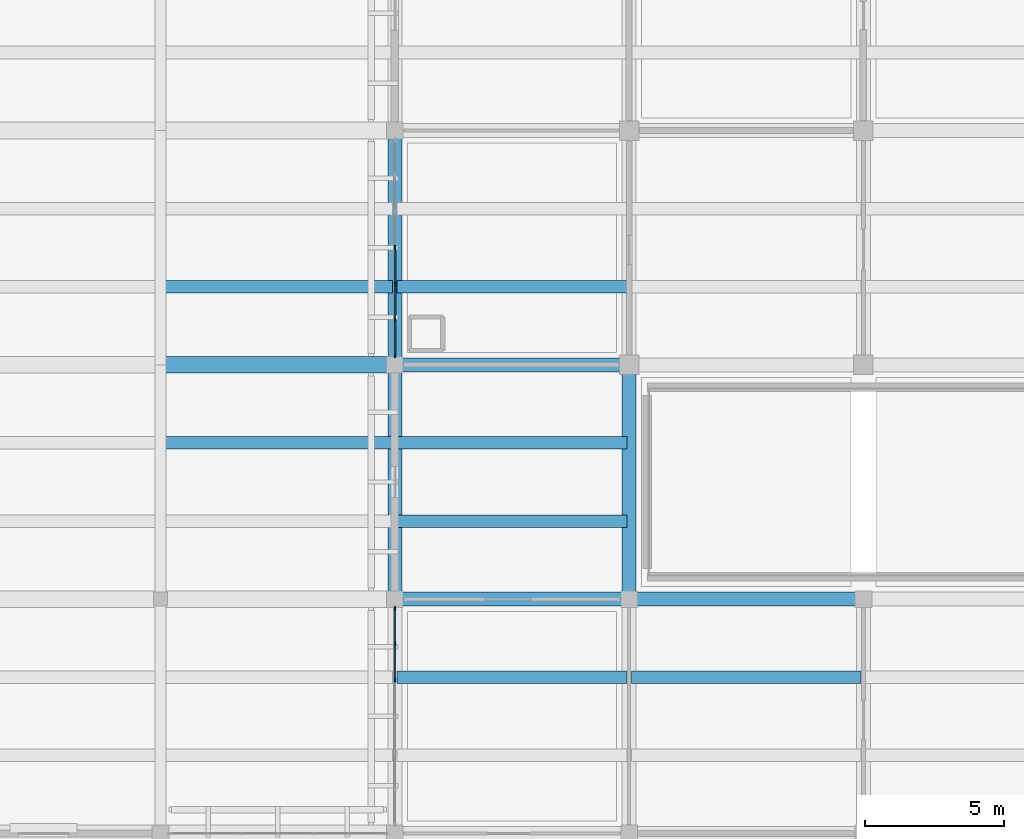
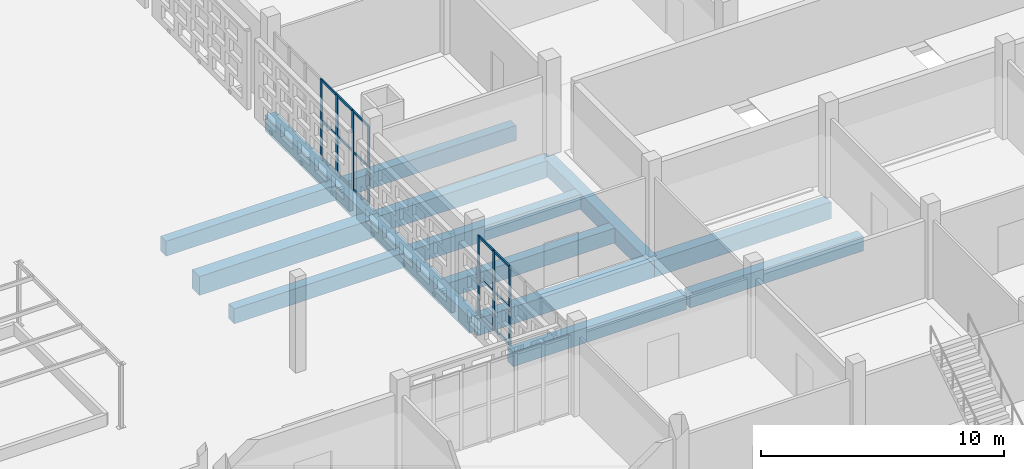
# One storey, part 39 of 129: 22 members, 14 beams, 2 elements without a shape of their own.
"""IFC4 building model written with IfcOpenShell, lengths in metres."""

import ifcopenshell
import ifcopenshell.guid

model = None  # the IFC model being written
_history = None  # IfcOwnerHistory: only IFC2X3 demands one
_inside = {}  # id of a spatial element -> (the spatial element, [elements in it])
_under = {}  # id of a project, library or spatial element -> (it, [spatial elements below it])
_declared = {}  # id of a project -> (the project, [libraries it declares])
_typed = {}  # id of a type object -> (the type object, [elements of that type])
_made_of = {}  # id of a material, layer set ... -> (it, [elements and type objects made of it])


def new_model(schema):
    """Start an empty IFC model of exactly this schema.

    Asked for "IFC4X3", IfcOpenShell would pick the latest addendum, in which some entities
    have other attributes; the version numbers below select the first issue.
    IFC2X3 requires an IfcOwnerHistory on every rooted entity: one is made here for all.
    """
    global model, _history
    if schema == "IFC4X3":
        model = ifcopenshell.file(schema_version=(4, 3, 0, 0))
    else:
        model = ifcopenshell.file(schema=schema)
    _inside.clear()
    _under.clear()
    _declared.clear()
    _typed.clear()
    _made_of.clear()
    _history = None
    if model.schema == "IFC2X3":
        org = make("IfcOrganization", Name="unknown")
        user = make(
            "IfcPersonAndOrganization",
            ThePerson=make("IfcPerson", FamilyName="unknown"),
            TheOrganization=org,
        )
        app = make(
            "IfcApplication",
            ApplicationDeveloper=org,
            Version="unknown",
            ApplicationFullName="unknown",
            ApplicationIdentifier="unknown",
        )
        _history = make(
            "IfcOwnerHistory",
            OwningUser=user,
            OwningApplication=app,
            ChangeAction="ADDED",
            CreationDate=0,
        )
    return model


def make(cls, **values):
    """One entity of the class cls with the attributes given. An attribute that is None is left unset."""
    return model.create_entity(
        cls, **{name: value for name, value in values.items() if value is not None}
    )


def rooted(cls, **values):
    """An entity with a GlobalId (a new one), such as an element, a storey or a relation."""
    return make(cls, GlobalId=ifcopenshell.guid.new(), OwnerHistory=_history, **values)


def si_unit(unit_type, name, prefix=None):
    """IfcSIUnit, for example si_unit("LENGTHUNIT", "METRE", prefix="MILLI")."""
    return make("IfcSIUnit", UnitType=unit_type, Prefix=prefix, Name=name)


def assignment(units):
    """IfcUnitAssignment: the units of a project."""
    return None if units is None else make("IfcUnitAssignment", Units=units)


def point(xyz):
    """IfcCartesianPoint."""
    return None if xyz is None else make("IfcCartesianPoint", Coordinates=xyz)


def direction(xyz):
    """IfcDirection."""
    return None if xyz is None else make("IfcDirection", DirectionRatios=xyz)


def frame(location, z_axis=None, x_axis=None):
    """IfcAxis2Placement3D, a coordinate frame: its origin and axes. An axis left out is left unset."""
    return make(
        "IfcAxis2Placement3D",
        Location=point(location),
        Axis=direction(z_axis),
        RefDirection=direction(x_axis),
    )


def frame_2d(location, x_axis=None):
    """IfcAxis2Placement2D, a coordinate frame in the plane: its origin and x axis."""
    return make(
        "IfcAxis2Placement2D", Location=point(location), RefDirection=direction(x_axis)
    )


def origin():
    """The frame at (0, 0, 0) with its axes left unset."""
    return frame((0.0, 0.0, 0.0))


def origin_2d():
    """The frame at (0, 0) in the plane with its x axis left unset."""
    return frame_2d((0.0, 0.0))


def place(relative_to, where):
    """IfcLocalPlacement: puts the frame where relative to a parent placement (None: the world)."""
    return make(
        "IfcLocalPlacement", PlacementRelTo=relative_to, RelativePlacement=where
    )


def context(
    kind, dimensions, precision=None, world=None, true_north=None, identifier=None
):
    """IfcGeometricRepresentationContext, for example the 3D "Model" context."""
    return make(
        "IfcGeometricRepresentationContext",
        ContextIdentifier=identifier,
        ContextType=kind,
        CoordinateSpaceDimension=dimensions,
        Precision=precision,
        WorldCoordinateSystem=world,
        TrueNorth=true_north,
    )


def subcontext(parent, identifier, kind, view, scale=None):
    """IfcGeometricRepresentationSubContext, for example "Body" below "Model"."""
    return make(
        "IfcGeometricRepresentationSubContext",
        ContextIdentifier=identifier,
        ContextType=kind,
        ParentContext=parent,
        TargetScale=scale,
        TargetView=view,
    )


def project(units=None, contexts=None):
    """IfcProject with its units and contexts."""
    return rooted(
        "IfcProject",
        Name="project",
        RepresentationContexts=contexts,
        UnitsInContext=assignment(units),
    )


def spatial(cls, under=None, at=None, **own):
    """A site, building, storey or space (cls), placed at a placement, below another one or the project."""
    s = rooted(cls, ObjectPlacement=at, **own)
    if under is not None:
        _under.setdefault(under.id(), (under, []))[1].append(s)
    return s


def profile(cls, at=None, kind="AREA", **sizes):
    """A parametric profile (cls). Its sizes go by their IFC names, for example OverallWidth=200.0."""
    return make(cls, ProfileType=kind, Position=at, **sizes)


def rectangle(**sizes):
    """IfcRectangleProfileDef."""
    return profile("IfcRectangleProfileDef", **sizes)


def extrude(swept, where, along, depth):
    """IfcExtrudedAreaSolid: the profile swept, set in the frame where, extruded along a direction by depth."""
    return make(
        "IfcExtrudedAreaSolid",
        SweptArea=swept,
        Position=where,
        ExtrudedDirection=direction(along),
        Depth=depth,
    )


def shape(context_of_items, identifier, shape_type, items):
    """IfcShapeRepresentation: the items that make up one representation, for example the "Body"."""
    return make(
        "IfcShapeRepresentation",
        ContextOfItems=context_of_items,
        RepresentationIdentifier=identifier,
        RepresentationType=shape_type,
        Items=items,
    )


def material(Name=None, Category=None):
    """IfcMaterial."""
    return make("IfcMaterial", Name=Name, Category=Category)


def layer(
    of_material, thickness, ventilated=None, Name=None, Category=None, Priority=None
):
    """IfcMaterialLayer: one layer of a wall or slab, of a material (None: an air gap)."""
    return make(
        "IfcMaterialLayer",
        Material=of_material,
        LayerThickness=thickness,
        IsVentilated=ventilated,
        Name=Name,
        Category=Category,
        Priority=Priority,
    )


def layer_set(layers, Name=None):
    """IfcMaterialLayerSet."""
    return make("IfcMaterialLayerSet", MaterialLayers=layers, LayerSetName=Name)


def material_profile(
    of_material, cross_section, Name=None, Category=None, Priority=None
):
    """IfcMaterialProfile: a cross section and its material."""
    return make(
        "IfcMaterialProfile",
        Name=Name,
        Material=of_material,
        Profile=cross_section,
        Priority=Priority,
        Category=Category,
    )


def profile_set(profiles, Name=None, composite=None):
    """IfcMaterialProfileSet."""
    return make(
        "IfcMaterialProfileSet",
        Name=Name,
        MaterialProfiles=profiles,
        CompositeProfile=composite,
    )


def made_of(thing, what):
    """Note that an element or type object is made of a material, layer set ...; save() writes the relation."""
    if what is not None:
        _made_of.setdefault(what.id(), (what, []))[1].append(thing)
    return thing


def type_object(cls, material=None, **own):
    """A type object (cls), such as IfcWallType, which elements share."""
    return made_of(rooted(cls, **own), material)


def element(
    cls,
    number,
    at=None,
    inside=None,
    cuts=None,
    type_object=None,
    material=None,
    context=None,
    identifier="Body",
    shape_type=None,
    held_by="IfcProductDefinitionShape",
    body=None,
    shapes=None,
    **own,
):
    """One element of the class cls, such as IfcWall. Its Tag is "e" and its number.

    at: its placement. inside: the storey or other place that contains it. cuts: it is an
    opening in that element (IfcRelVoidsElement). A single representation is given by context,
    identifier, shape_type and body (its items); several are given by shapes. held_by: the class
    of the entity that holds the representations. save() writes the other relations.
    """
    e = rooted(cls, Tag="e%d" % number, ObjectPlacement=at, **own)
    if body is not None:
        shapes = [shape(context, identifier, shape_type, body)]
    if shapes is not None:
        e.Representation = make(held_by, Representations=shapes)
    if inside is not None:
        _inside.setdefault(inside.id(), (inside, []))[1].append(e)
    if cuts is not None:
        rooted(
            "IfcRelVoidsElement", RelatingBuildingElement=cuts, RelatedOpeningElement=e
        )
    if type_object is not None:
        _typed.setdefault(type_object.id(), (type_object, []))[1].append(e)
    return made_of(e, material)


def aggregate(whole, parts):
    """IfcRelAggregates: a whole, such as a stair, and the parts it consists of."""
    return rooted("IfcRelAggregates", RelatingObject=whole, RelatedObjects=parts)


def save(model, path):
    """Write the relations noted so far, then the file.

    IfcRelAggregates (storeys below a building ...), IfcRelContainedInSpatialStructure (elements
    in a storey), IfcRelDefinesByType, IfcRelAssociatesMaterial and IfcRelDeclares: one each for
    every whole, place, type object, material and project.
    """
    for whole, parts in _under.values():
        aggregate(whole, parts)
    for where, things in _inside.values():
        rooted(
            "IfcRelContainedInSpatialStructure",
            RelatedElements=things,
            RelatingStructure=where,
        )
    for kind, things in _typed.values():
        rooted("IfcRelDefinesByType", RelatedObjects=things, RelatingType=kind)
    for what, things in _made_of.values():
        rooted("IfcRelAssociatesMaterial", RelatedObjects=things, RelatingMaterial=what)
    for by, libraries in _declared.values():
        rooted("IfcRelDeclares", RelatingContext=by, RelatedDefinitions=libraries)
    model.write(path)


model = new_model("IFC4")

# Units and contexts
model_context = context("Model", 3, precision=1e-05, world=origin(), true_north=direction((0.0, 1.0)))
body_context = subcontext(model_context, "Body", "Model", "MODEL_VIEW")
ifc_project = project(units=[si_unit("LENGTHUNIT", "METRE"), si_unit("AREAUNIT", "SQUARE_METRE"), si_unit("VOLUMEUNIT", "CUBIC_METRE"), si_unit("PLANEANGLEUNIT", "RADIAN"), si_unit("MASSUNIT", "GRAM", prefix="KILO")], contexts=[model_context])

# Site, building, storey
site_placement = place(None, origin())
site = spatial("IfcSite", under=ifc_project, at=site_placement, CompositionType="ELEMENT")
building_placement = place(site_placement, origin())
building = spatial("IfcBuilding", under=site, at=building_placement, Name="Varnapada Polytechnic", CompositionType="ELEMENT")
storey_placement = place(building_placement, origin())
storey = spatial("IfcBuildingStorey", under=building, at=storey_placement, Name="L00", CompositionType="ELEMENT", Elevation=0.0)

# Beams
ifc_material_1 = material(Name="Concrete C40/50", Category="concrete")
ifc_material_profile_1 = material_profile(ifc_material_1, rectangle(XDim=0.449951171875, YDim=0.75, at=origin_2d()), Name="RC 450x750")
ifc_profile_set_1 = profile_set([ifc_material_profile_1], Name="Concrete C40/50")
beam_type_1 = type_object("IfcBeamType", Name="Basement/podium secondary beam BB-01 (RC 450x750)", PredefinedType="BEAM", material=ifc_profile_set_1)
for number, where, z_axis, x_axis, name in (
    (1, (126.080078125, 56.0, -0.675048828125), (1.0, 0.0, 0.0), (0.0, 1.0, 0.0), "L00 floor joist 16/7.2"),
    (2, (126.080078125, 61.60009765625, -0.675048828125), (1.0, 0.0, 0.0), (0.0, 1.0, 0.0), "L00 floor joist 16/8.1"),
    (3, (134.47998046875, 47.60009765625, -0.675048828125), (1.0, 0.0, 0.0), (0.0, 1.0, 0.0), "L00 floor joist 17/6.2"),
    (4, (134.47998046875, 53.199951171875, -0.675048828125), (1.0, 0.0, 0.0), (0.0, 1.0, 0.0), "L00 floor joist 17/7.1"),
    (5, (134.47998046875, 56.0, -0.675048828125), (1.0, 0.0, 0.0), (0.0, 1.0, 0.0), "L00 floor joist 17/7.2"),
    (6, (134.47998046875, 61.60009765625, -0.675048828125), (1.0, 0.0, 0.0), (0.0, 1.0, 0.0), "L00 floor joist 17/8.1"),
):
    element("IfcBeam", number, at=place(storey_placement, frame(where, z_axis=z_axis, x_axis=x_axis)), inside=storey, type_object=beam_type_1, Name=name, PredefinedType="BEAM", context=body_context, shape_type="SweptSolid", body=[
        extrude(rectangle(XDim=0.449951171875, YDim=0.75, at=origin_2d()), origin(), (0.0, 0.0, 1.0), 8.239990234375),
    ])
beam_1_placement = place(storey_placement, frame((142.8798828125, 47.60009765625, -0.675048828125), z_axis=(1.0, 0.0, 0.0), x_axis=(0.0, 1.0, 0.0)))
element("IfcBeam", 7, at=beam_1_placement, inside=storey, type_object=beam_type_1, Name="L00 floor joist 18/6.2", PredefinedType="BEAM", context=body_context, shape_type="SweptSolid", body=[
    extrude(rectangle(XDim=0.449951171875, YDim=0.75, at=origin_2d()), origin(), (0.0, 0.0, 1.0), 8.240234375),
])

# Curtain wall, members
ifc_material_2 = material(Name="Double low-E laminated glass", Category="glass")
ifc_layer = layer(ifc_material_2, 0.159912109375)
ifc_layer_set = layer_set([ifc_layer], Name="Double low-E laminated glass")
curtain_wall_type = type_object("IfcCurtainWallType", Name="Curtain Wall CW-01", PredefinedType="NOTDEFINED", material=ifc_layer_set)
curtain_wall_1_placement = place(storey_placement, origin())
curtain_wall_1 = element("IfcCurtainWall", 8, at=curtain_wall_1_placement, inside=storey, type_object=curtain_wall_type, Name="L00 unitised curtain wall CW-01 (16)", PredefinedType="NOTDEFINED")
ifc_material_3 = material(Name="Anodised aluminium", Category="aluminium")
ifc_material_profile_2 = material_profile(ifc_material_3, rectangle(XDim=0.06005859375, YDim=0.159912109375, at=origin_2d()), Name="ALU M60x160")
ifc_profile_set_2 = profile_set([ifc_material_profile_2], Name="Anodised aluminium")
member_type_1 = type_object("IfcMemberType", Name="Mullion M-01", PredefinedType="MULLION", material=ifc_profile_set_2)
member_1_placement = place(storey_placement, frame((134.39990234375, 47.5, 0.0), z_axis=(0.0, 0.0, 1.0), x_axis=(-1.0, 0.0, 0.0)))
member_1 = element("IfcMember", 9, at=member_1_placement, type_object=member_type_1, Name="CW-01 mullion 5", PredefinedType="MULLION", context=body_context, shape_type="SweptSolid", body=[
    extrude(rectangle(XDim=0.06005859375, YDim=0.159912109375, at=origin_2d()), origin(), (0.0, 0.0, 1.0), 3.9599609375),
])
member_2_placement = place(storey_placement, frame((134.39990234375, 48.800048828125, 0.0), z_axis=(0.0, 0.0, 1.0), x_axis=(-1.0, 0.0, 0.0)))
member_2 = element("IfcMember", 10, at=member_2_placement, type_object=member_type_1, Name="CW-01 mullion 6", PredefinedType="MULLION", context=body_context, shape_type="SweptSolid", body=[
    extrude(rectangle(XDim=0.06005859375, YDim=0.159912109375, at=origin_2d()), origin(), (0.0, 0.0, 1.0), 3.9599609375),
])
member_3_placement = place(storey_placement, frame((134.39990234375, 50.070068359375, 0.0), z_axis=(0.0, 0.0, 1.0), x_axis=(-1.0, 0.0, 0.0)))
member_3 = element("IfcMember", 11, at=member_3_placement, type_object=member_type_1, Name="CW-01 mullion 7", PredefinedType="MULLION", context=body_context, shape_type="SweptSolid", body=[
    extrude(rectangle(XDim=0.06005859375, YDim=0.159912109375, at=origin_2d()), origin(), (0.0, 0.0, 1.0), 3.9599609375),
])

curtain_wall_2_placement = place(storey_placement, origin())
curtain_wall_2 = element("IfcCurtainWall", 12, at=curtain_wall_2_placement, inside=storey, type_object=curtain_wall_type, Name="L00 unitised curtain wall CW-01 (17)", PredefinedType="NOTDEFINED")
member_4_placement = place(storey_placement, frame((134.39990234375, 59.1298828125, 0.0), z_axis=(0.0, 0.0, 1.0), x_axis=(-1.0, 0.0, 0.0)))
member_4 = element("IfcMember", 13, at=member_4_placement, type_object=member_type_1, Name="CW-01 mullion 1", PredefinedType="MULLION", context=body_context, shape_type="SweptSolid", body=[
    extrude(rectangle(XDim=0.06005859375, YDim=0.159912109375, at=origin_2d()), origin(), (0.0, 0.0, 1.0), 3.9599609375),
])
member_5_placement = place(storey_placement, frame((134.39990234375, 60.39990234375, 0.0), z_axis=(0.0, 0.0, 1.0), x_axis=(-1.0, 0.0, 0.0)))
member_5 = element("IfcMember", 14, at=member_5_placement, type_object=member_type_1, Name="CW-01 mullion 2", PredefinedType="MULLION", context=body_context, shape_type="SweptSolid", body=[
    extrude(rectangle(XDim=0.06005859375, YDim=0.159912109375, at=origin_2d()), origin(), (0.0, 0.0, 1.0), 3.9599609375),
])
member_6_placement = place(storey_placement, frame((134.39990234375, 61.699951171875, 0.0), z_axis=(0.0, 0.0, 1.0), x_axis=(-1.0, 0.0, 0.0)))
member_6 = element("IfcMember", 15, at=member_6_placement, type_object=member_type_1, Name="CW-01 mullion 3", PredefinedType="MULLION", context=body_context, shape_type="SweptSolid", body=[
    extrude(rectangle(XDim=0.06005859375, YDim=0.159912109375, at=origin_2d()), origin(), (0.0, 0.0, 1.0), 3.9599609375),
])
member_7_placement = place(storey_placement, frame((134.39990234375, 63.0, 0.0), z_axis=(0.0, 0.0, 1.0), x_axis=(-1.0, 0.0, 0.0)))
member_7 = element("IfcMember", 16, at=member_7_placement, type_object=member_type_1, Name="CW-01 mullion 4", PredefinedType="MULLION", context=body_context, shape_type="SweptSolid", body=[
    extrude(rectangle(XDim=0.06005859375, YDim=0.159912109375, at=origin_2d()), origin(), (0.0, 0.0, 1.0), 3.9599609375),
])

# Beams
ifc_material_profile_3 = material_profile(ifc_material_1, rectangle(XDim=0.5, YDim=0.800048828125, at=origin_2d()), Name="RC 500x800")
ifc_profile_set_3 = profile_set([ifc_material_profile_3], Name="Concrete C40/50")
beam_type_2 = type_object("IfcBeamType", Name="Refectory podium girder BB-03 (RC 500x800)", PredefinedType="BEAM", material=ifc_profile_set_3)
beam_2_placement = place(storey_placement, frame((134.39990234375, 50.39990234375, -0.699951171875), z_axis=(0.0, 1.0, 0.0), x_axis=(-1.0, 0.0, 0.0)))
element("IfcBeam", 17, at=beam_2_placement, inside=storey, type_object=beam_type_2, Name="L00 beam Y 7-8 at X17", PredefinedType="BEAM", context=body_context, shape_type="SweptSolid", body=[
    extrude(rectangle(XDim=0.5, YDim=0.800048828125, at=origin_2d()), origin(), (0.0, 0.0, 1.0), 8.400146484375),
])
beam_3_placement = place(storey_placement, frame((134.39990234375, 58.800048828125, -0.699951171875), z_axis=(0.0, 1.0, 0.0), x_axis=(-1.0, 0.0, 0.0)))
element("IfcBeam", 18, at=beam_3_placement, inside=storey, type_object=beam_type_2, Name="L00 beam Y 8-9 at X17", PredefinedType="BEAM", context=body_context, shape_type="SweptSolid", body=[
    extrude(rectangle(XDim=0.5, YDim=0.800048828125, at=origin_2d()), origin(), (0.0, 0.0, 1.0), 8.39990234375),
])
beam_4_placement = place(storey_placement, frame((142.800048828125, 50.39990234375, -0.699951171875), z_axis=(0.0, 1.0, 0.0), x_axis=(-1.0, 0.0, 0.0)))
element("IfcBeam", 19, at=beam_4_placement, inside=storey, type_object=beam_type_2, Name="L00 beam Y 7-8 at X18", PredefinedType="BEAM", context=body_context, shape_type="SweptSolid", body=[
    extrude(rectangle(XDim=0.5, YDim=0.800048828125, at=origin_2d()), origin(), (0.0, 0.0, 1.0), 8.400146484375),
])
ifc_material_profile_4 = material_profile(ifc_material_1, rectangle(XDim=0.5, YDim=0.85009765625, at=origin_2d()), Name="RC 500x850")
ifc_profile_set_4 = profile_set([ifc_material_profile_4], Name="Concrete C40/50")
beam_type_3 = type_object("IfcBeamType", Name="Standard podium primary girder BG-02 (RC 500x850)", PredefinedType="T_BEAM", material=ifc_profile_set_4)
for number, where, z_axis, x_axis, name in (
    (20, (134.39990234375, 50.39990234375, -0.72509765625), (1.0, 0.0, 0.0), (0.0, 1.0, 0.0), "L00 beam X 17-18 at Y7"),
    (21, (134.39990234375, 58.800048828125, -0.72509765625), (1.0, 0.0, 0.0), (0.0, 1.0, 0.0), "L00 beam X 17-18 at Y8"),
):
    element("IfcBeam", number, at=place(storey_placement, frame(where, z_axis=z_axis, x_axis=x_axis)), inside=storey, type_object=beam_type_3, Name=name, PredefinedType="T_BEAM", context=body_context, shape_type="SweptSolid", body=[
        extrude(rectangle(XDim=0.5, YDim=0.85009765625, at=origin_2d()), origin(), (0.0, 0.0, 1.0), 8.400146484375),
    ])
beam_5_placement = place(storey_placement, frame((142.800048828125, 50.39990234375, -0.72509765625), z_axis=(1.0, 0.0, 0.0), x_axis=(0.0, 1.0, 0.0)))
element("IfcBeam", 22, at=beam_5_placement, inside=storey, type_object=beam_type_3, Name="L00 beam X 18-19 at Y7", PredefinedType="T_BEAM", context=body_context, shape_type="SweptSolid", body=[
    extrude(rectangle(XDim=0.5, YDim=0.85009765625, at=origin_2d()), origin(), (0.0, 0.0, 1.0), 8.39990234375),
])

# Member
ifc_material_profile_5 = material_profile(ifc_material_3, rectangle(XDim=0.06005859375, YDim=0.1201171875, at=origin_2d()), Name="ALU T60x120")
ifc_profile_set_5 = profile_set([ifc_material_profile_5], Name="Anodised aluminium")
member_type_2 = type_object("IfcMemberType", Name="Transom T-01", PredefinedType="USERDEFINED", material=ifc_profile_set_5)
member_8_placement = place(storey_placement, frame((134.39990234375, 47.530029296875, 0.030029296875), z_axis=(0.0, 1.0, 0.0), x_axis=(-1.0, 0.0, 0.0)))
member_8 = element("IfcMember", 23, at=member_8_placement, type_object=member_type_2, Name="CW-01 transom 5.1", ObjectType="TRANSOM", PredefinedType="USERDEFINED", context=body_context, shape_type="SweptSolid", body=[
    extrude(rectangle(XDim=0.06005859375, YDim=0.1201171875, at=origin_2d()), origin(), (0.0, 0.0, 1.0), 1.239990234375),
])

member_9_placement = place(storey_placement, frame((134.39990234375, 47.530029296875, 1.90087890625), z_axis=(0.0, 1.0, 0.0), x_axis=(-1.0, 0.0, 0.0)))
member_9 = element("IfcMember", 24, at=member_9_placement, type_object=member_type_2, Name="CW-01 transom 5.2", ObjectType="TRANSOM", PredefinedType="USERDEFINED", context=body_context, shape_type="SweptSolid", body=[
    extrude(rectangle(XDim=0.06005859375, YDim=0.1201171875, at=origin_2d()), origin(), (0.0, 0.0, 1.0), 1.239990234375),
])

member_10_placement = place(storey_placement, frame((134.39990234375, 47.530029296875, 3.929931640625), z_axis=(0.0, 1.0, 0.0), x_axis=(-1.0, 0.0, 0.0)))
member_10 = element("IfcMember", 25, at=member_10_placement, type_object=member_type_2, Name="CW-01 transom 5.3", ObjectType="TRANSOM", PredefinedType="USERDEFINED", context=body_context, shape_type="SweptSolid", body=[
    extrude(rectangle(XDim=0.06005859375, YDim=0.1201171875, at=origin_2d()), origin(), (0.0, 0.0, 1.0), 1.239990234375),
])

member_11_placement = place(storey_placement, frame((134.39990234375, 48.830078125, 0.030029296875), z_axis=(0.0, 1.0, 0.0), x_axis=(-1.0, 0.0, 0.0)))
member_11 = element("IfcMember", 26, at=member_11_placement, type_object=member_type_2, Name="CW-01 transom 6.1", ObjectType="TRANSOM", PredefinedType="USERDEFINED", context=body_context, shape_type="SweptSolid", body=[
    extrude(rectangle(XDim=0.06005859375, YDim=0.1201171875, at=origin_2d()), origin(), (0.0, 0.0, 1.0), 1.2099609375),
])

member_12_placement = place(storey_placement, frame((134.39990234375, 48.830078125, 1.90087890625), z_axis=(0.0, 1.0, 0.0), x_axis=(-1.0, 0.0, 0.0)))
member_12 = element("IfcMember", 27, at=member_12_placement, type_object=member_type_2, Name="CW-01 transom 6.2", ObjectType="TRANSOM", PredefinedType="USERDEFINED", context=body_context, shape_type="SweptSolid", body=[
    extrude(rectangle(XDim=0.06005859375, YDim=0.1201171875, at=origin_2d()), origin(), (0.0, 0.0, 1.0), 1.2099609375),
])

member_13_placement = place(storey_placement, frame((134.39990234375, 48.830078125, 3.929931640625), z_axis=(0.0, 1.0, 0.0), x_axis=(-1.0, 0.0, 0.0)))
member_13 = element("IfcMember", 28, at=member_13_placement, type_object=member_type_2, Name="CW-01 transom 6.3", ObjectType="TRANSOM", PredefinedType="USERDEFINED", context=body_context, shape_type="SweptSolid", body=[
    extrude(rectangle(XDim=0.06005859375, YDim=0.1201171875, at=origin_2d()), origin(), (0.0, 0.0, 1.0), 1.2099609375),
])

aggregate(curtain_wall_1, [member_1, member_2, member_3, member_8, member_9, member_10, member_11, member_12, member_13])

member_14_placement = place(storey_placement, frame((134.39990234375, 59.159912109375, 0.030029296875), z_axis=(0.0, 1.0, 0.0), x_axis=(-1.0, 0.0, 0.0)))
member_14 = element("IfcMember", 29, at=member_14_placement, type_object=member_type_2, Name="CW-01 transom 1.1", ObjectType="TRANSOM", PredefinedType="USERDEFINED", context=body_context, shape_type="SweptSolid", body=[
    extrude(rectangle(XDim=0.06005859375, YDim=0.1201171875, at=origin_2d()), origin(), (0.0, 0.0, 1.0), 1.210205078125),
])

member_15_placement = place(storey_placement, frame((134.39990234375, 59.159912109375, 1.90087890625), z_axis=(0.0, 1.0, 0.0), x_axis=(-1.0, 0.0, 0.0)))
member_15 = element("IfcMember", 30, at=member_15_placement, type_object=member_type_2, Name="CW-01 transom 1.2", ObjectType="TRANSOM", PredefinedType="USERDEFINED", context=body_context, shape_type="SweptSolid", body=[
    extrude(rectangle(XDim=0.06005859375, YDim=0.1201171875, at=origin_2d()), origin(), (0.0, 0.0, 1.0), 1.210205078125),
])

member_16_placement = place(storey_placement, frame((134.39990234375, 59.159912109375, 3.929931640625), z_axis=(0.0, 1.0, 0.0), x_axis=(-1.0, 0.0, 0.0)))
member_16 = element("IfcMember", 31, at=member_16_placement, type_object=member_type_2, Name="CW-01 transom 1.3", ObjectType="TRANSOM", PredefinedType="USERDEFINED", context=body_context, shape_type="SweptSolid", body=[
    extrude(rectangle(XDim=0.06005859375, YDim=0.1201171875, at=origin_2d()), origin(), (0.0, 0.0, 1.0), 1.210205078125),
])

member_17_placement = place(storey_placement, frame((134.39990234375, 60.429931640625, 0.030029296875), z_axis=(0.0, 1.0, 0.0), x_axis=(-1.0, 0.0, 0.0)))
member_17 = element("IfcMember", 32, at=member_17_placement, type_object=member_type_2, Name="CW-01 transom 2.1", ObjectType="TRANSOM", PredefinedType="USERDEFINED", context=body_context, shape_type="SweptSolid", body=[
    extrude(rectangle(XDim=0.06005859375, YDim=0.1201171875, at=origin_2d()), origin(), (0.0, 0.0, 1.0), 1.239990234375),
])

member_18_placement = place(storey_placement, frame((134.39990234375, 60.429931640625, 1.90087890625), z_axis=(0.0, 1.0, 0.0), x_axis=(-1.0, 0.0, 0.0)))
member_18 = element("IfcMember", 33, at=member_18_placement, type_object=member_type_2, Name="CW-01 transom 2.2", ObjectType="TRANSOM", PredefinedType="USERDEFINED", context=body_context, shape_type="SweptSolid", body=[
    extrude(rectangle(XDim=0.06005859375, YDim=0.1201171875, at=origin_2d()), origin(), (0.0, 0.0, 1.0), 1.239990234375),
])

member_19_placement = place(storey_placement, frame((134.39990234375, 60.429931640625, 3.929931640625), z_axis=(0.0, 1.0, 0.0), x_axis=(-1.0, 0.0, 0.0)))
member_19 = element("IfcMember", 34, at=member_19_placement, type_object=member_type_2, Name="CW-01 transom 2.3", ObjectType="TRANSOM", PredefinedType="USERDEFINED", context=body_context, shape_type="SweptSolid", body=[
    extrude(rectangle(XDim=0.06005859375, YDim=0.1201171875, at=origin_2d()), origin(), (0.0, 0.0, 1.0), 1.239990234375),
])

member_20_placement = place(storey_placement, frame((134.39990234375, 61.72998046875, 0.030029296875), z_axis=(0.0, 1.0, 0.0), x_axis=(-1.0, 0.0, 0.0)))
member_20 = element("IfcMember", 35, at=member_20_placement, type_object=member_type_2, Name="CW-01 transom 3.1", ObjectType="TRANSOM", PredefinedType="USERDEFINED", context=body_context, shape_type="SweptSolid", body=[
    extrude(rectangle(XDim=0.06005859375, YDim=0.1201171875, at=origin_2d()), origin(), (0.0, 0.0, 1.0), 1.239990234375),
])

member_21_placement = place(storey_placement, frame((134.39990234375, 61.72998046875, 1.90087890625), z_axis=(0.0, 1.0, 0.0), x_axis=(-1.0, 0.0, 0.0)))
member_21 = element("IfcMember", 36, at=member_21_placement, type_object=member_type_2, Name="CW-01 transom 3.2", ObjectType="TRANSOM", PredefinedType="USERDEFINED", context=body_context, shape_type="SweptSolid", body=[
    extrude(rectangle(XDim=0.06005859375, YDim=0.1201171875, at=origin_2d()), origin(), (0.0, 0.0, 1.0), 1.239990234375),
])

member_22_placement = place(storey_placement, frame((134.39990234375, 61.72998046875, 3.929931640625), z_axis=(0.0, 1.0, 0.0), x_axis=(-1.0, 0.0, 0.0)))
member_22 = element("IfcMember", 37, at=member_22_placement, type_object=member_type_2, Name="CW-01 transom 3.3", ObjectType="TRANSOM", PredefinedType="USERDEFINED", context=body_context, shape_type="SweptSolid", body=[
    extrude(rectangle(XDim=0.06005859375, YDim=0.1201171875, at=origin_2d()), origin(), (0.0, 0.0, 1.0), 1.239990234375),
])

aggregate(curtain_wall_2, [member_4, member_5, member_6, member_7, member_14, member_15, member_16, member_17, member_18, member_19, member_20, member_21, member_22])

# Beam
ifc_material_profile_6 = material_profile(ifc_material_1, rectangle(XDim=0.60009765625, YDim=0.949951171875, at=origin_2d()), Name="RC 600x950")
ifc_profile_set_6 = profile_set([ifc_material_profile_6], Name="Concrete C40/50")
beam_type_4 = type_object("IfcBeamType", Name="Workshop podium heavy girder BG-03 (RC 600x950)", PredefinedType="T_BEAM", material=ifc_profile_set_6)
beam_6_placement = place(storey_placement, frame((126.0, 58.800048828125, -0.77490234375), z_axis=(1.0, 0.0, 0.0), x_axis=(0.0, 1.0, 0.0)))
element("IfcBeam", 38, at=beam_6_placement, inside=storey, type_object=beam_type_4, Name="L00 beam X 16-17 at Y8", PredefinedType="T_BEAM", context=body_context, shape_type="SweptSolid", body=[
    extrude(rectangle(XDim=0.60009765625, YDim=0.949951171875, at=origin_2d()), origin(), (0.0, 0.0, 1.0), 8.39990234375),
])

save(model, "model.ifc")
